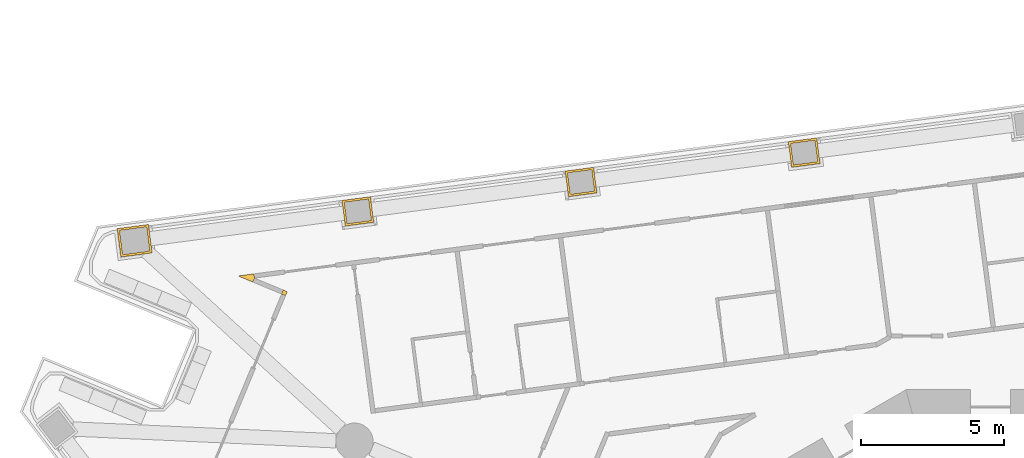
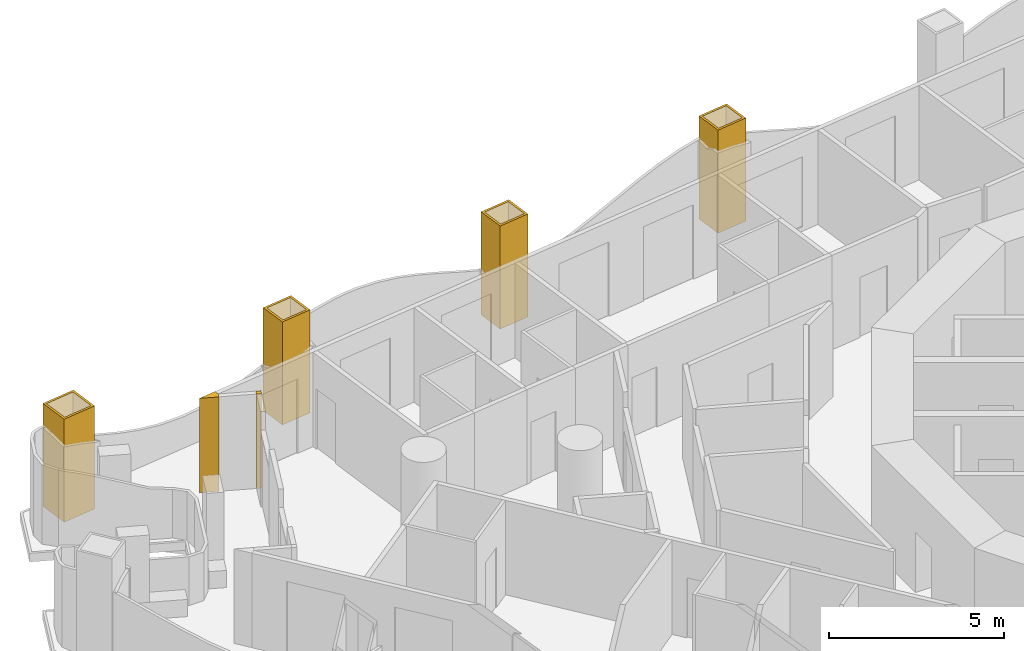
# One storey, part 16 of 19: 6 coverings.
"""IFC4 building model written with IfcOpenShell, lengths in metres."""

from ifc_helpers import new_model, si_unit, direction, frame, origin, place, context, subcontext, project, spatial, polyline, outline, extrude, material, layer, layer_set, type_object, element, save


model = new_model("IFC4")

# Units and contexts
model_context = context("Model", 3, precision=1e-05, world=origin(), true_north=direction((0.0, 1.0)))
body_context = subcontext(model_context, "Body", "Model", "MODEL_VIEW")
ifc_project = project(units=[si_unit("LENGTHUNIT", "METRE"), si_unit("AREAUNIT", "SQUARE_METRE"), si_unit("VOLUMEUNIT", "CUBIC_METRE"), si_unit("PLANEANGLEUNIT", "RADIAN"), si_unit("MASSUNIT", "GRAM", prefix="KILO")], contexts=[model_context])

# Site, building, storey
site_placement = place(None, origin())
site = spatial("IfcSite", under=ifc_project, at=site_placement, CompositionType="ELEMENT")
building_placement = place(site_placement, origin())
building = spatial("IfcBuilding", under=site, at=building_placement, Name="Trine Commons Tower", CompositionType="ELEMENT")
storey_placement = place(building_placement, frame((0.0, 0.0, 72.0)))
storey = spatial("IfcBuildingStorey", under=building, at=storey_placement, Name="L17", CompositionType="ELEMENT", Elevation=72.0)

# Coverings
ifc_material_1 = material(Name="Aluminium-framed insulated wall panel", Category="aluminium")
ifc_layer_1 = layer(ifc_material_1, 0.14990234375)
ifc_layer_set_1 = layer_set([ifc_layer_1], Name="Aluminium-framed insulated wall panel")
covering_type_1 = type_object("IfcCoveringType", Name="Glazing corner post, aluminium", PredefinedType="CLADDING", material=ifc_layer_set_1)
covering_1_placement = place(storey_placement, origin())
element("IfcCovering", 1, at=covering_1_placement, inside=storey, type_object=covering_type_1, Name="Glazing corner post 2-03", PredefinedType="CLADDING", context=body_context, shape_type="SweptSolid", body=[
    extrude(outline(polyline([(55.384521484375, 76.79833984375), (55.44189453125, 76.93701171875), (55.30322265625, 76.994384765625), (55.245849609375, 76.855712890625), (55.384521484375, 76.79833984375)])), origin(), (0.0, 0.0, 1.0), 3.300048828125),
])
covering_2_placement = place(storey_placement, origin())
element("IfcCovering", 2, at=covering_2_placement, inside=storey, type_object=covering_type_1, Name="Glazing corner post 2-04", PredefinedType="CLADDING", context=body_context, shape_type="SweptSolid", body=[
    extrude(outline(polyline([(54.242919921875, 77.271240234375), (54.30029296875, 77.409912109375), (54.280517578125, 77.55859375), (53.7255859375, 77.485595703125), (54.242919921875, 77.271240234375)])), origin(), (0.0, 0.0, 1.0), 3.300048828125),
])
ifc_material_2 = material(Name="Limestone, honed", Category="masonry")
ifc_layer_2 = layer(ifc_material_2, 0.074951171875)
ifc_layer_set_2 = layer_set([ifc_layer_2], Name="Limestone, honed")
covering_type_2 = type_object("IfcCoveringType", Name="Limestone column cladding 75", PredefinedType="CLADDING", material=ifc_layer_set_2)
covering_3_placement = place(storey_placement, origin())
element("IfcCovering", 3, at=covering_3_placement, inside=storey, type_object=covering_type_2, Name="Limestone pier cladding 2-09", PredefinedType="CLADDING", context=body_context, shape_type="SweptSolid", body=[
    extrude(outline(polyline([(50.726806640625, 78.291015625), (50.59619140625, 79.2822265625), (49.505615234375, 79.138671875), (49.635986328125, 78.147216796875), (50.726806640625, 78.291015625)]), holes=[polyline([(50.642578125, 78.35546875), (50.531494140625, 79.1982421875), (49.589599609375, 79.07421875), (49.70068359375, 78.2314453125), (50.642578125, 78.35546875)])]), origin(), (0.0, 0.0, 1.0), 3.60009765625),
])
covering_4_placement = place(storey_placement, origin())
element("IfcCovering", 4, at=covering_4_placement, inside=storey, type_object=covering_type_2, Name="Limestone pier cladding 2-10", PredefinedType="CLADDING", context=body_context, shape_type="SweptSolid", body=[
    extrude(outline(polyline([(58.4638671875, 79.360107421875), (58.34619140625, 80.252197265625), (57.354736328125, 80.121826171875), (57.472412109375, 79.2294921875), (58.4638671875, 79.360107421875)]), holes=[polyline([(58.379638671875, 79.424560546875), (58.28173828125, 80.168212890625), (57.43896484375, 80.05712890625), (57.536865234375, 79.313720703125), (58.379638671875, 79.424560546875)])]), origin(), (0.0, 0.0, 1.0), 3.60009765625),
])
covering_5_placement = place(storey_placement, origin())
element("IfcCovering", 5, at=covering_5_placement, inside=storey, type_object=covering_type_2, Name="Limestone pier cladding 2-11", PredefinedType="CLADDING", context=body_context, shape_type="SweptSolid", body=[
    extrude(outline(polyline([(66.257080078125, 80.385986328125), (66.1396484375, 81.2783203125), (65.148193359375, 81.147705078125), (65.265625, 80.255615234375), (66.257080078125, 80.385986328125)]), holes=[polyline([(66.1728515625, 80.45068359375), (66.074951171875, 81.194091796875), (65.232421875, 81.083251953125), (65.330078125, 80.339599609375), (66.1728515625, 80.45068359375)])]), origin(), (0.0, 0.0, 1.0), 3.60009765625),
])
covering_6_placement = place(storey_placement, origin())
element("IfcCovering", 6, at=covering_6_placement, inside=storey, type_object=covering_type_2, Name="Limestone pier cladding 2-12", PredefinedType="CLADDING", context=body_context, shape_type="SweptSolid", body=[
    extrude(outline(polyline([(74.05029296875, 81.412109375), (73.932861328125, 82.30419921875), (72.94140625, 82.173828125), (73.058837890625, 81.281494140625), (74.05029296875, 81.412109375)]), holes=[polyline([(73.96630859375, 81.4765625), (73.868408203125, 82.22021484375), (73.025634765625, 82.109130859375), (73.12353515625, 81.365478515625), (73.96630859375, 81.4765625)])]), origin(), (0.0, 0.0, 1.0), 3.60009765625),
])

save(model, "model.ifc")
